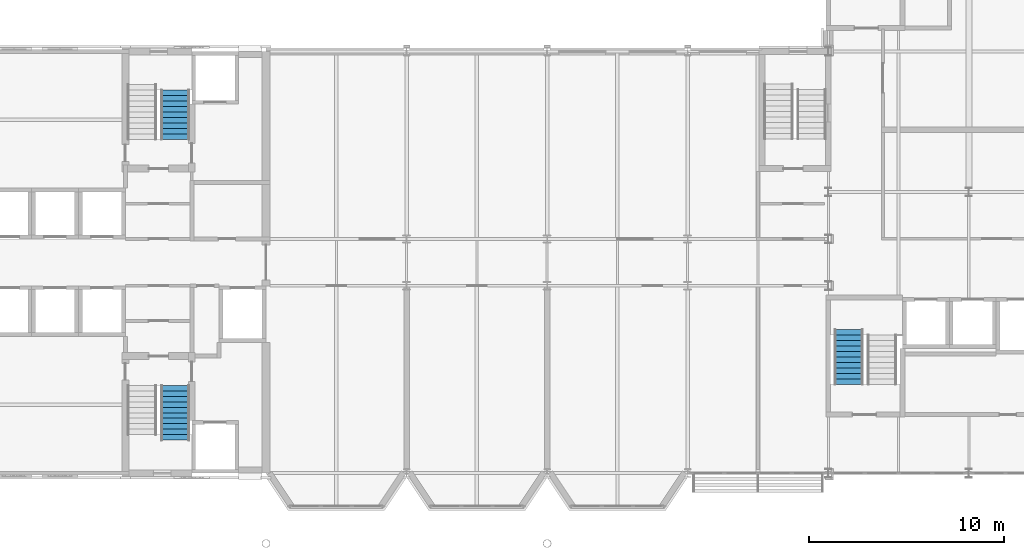
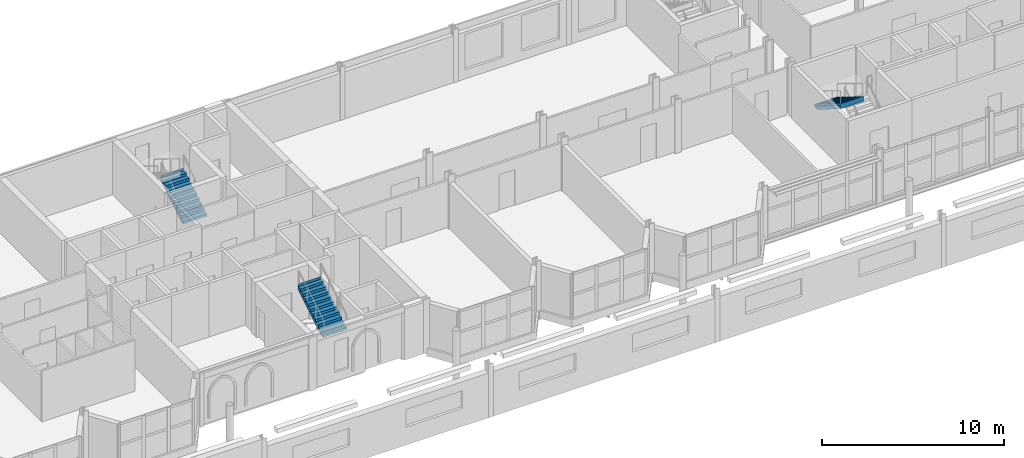
# One storey, part 93 of 124: 3 stair flights, 3 elements without a shape of their own.
"""IFC4 building model written with IfcOpenShell, lengths in metres."""

from ifc_helpers import new_model, si_unit, direction, frame, origin, place, context, subcontext, project, spatial, polyline, outline, extrude, material, type_object, element, aggregate, save


model = new_model("IFC4")

# Units and contexts
model_context = context("Model", 3, precision=1e-05, world=origin(), true_north=direction((0.0, 1.0)))
body_context = subcontext(model_context, "Body", "Model", "MODEL_VIEW")
ifc_project = project(units=[si_unit("LENGTHUNIT", "METRE"), si_unit("AREAUNIT", "SQUARE_METRE"), si_unit("VOLUMEUNIT", "CUBIC_METRE"), si_unit("PLANEANGLEUNIT", "RADIAN"), si_unit("MASSUNIT", "GRAM", prefix="KILO")], contexts=[model_context])

# Site, building, storey
site_placement = place(None, origin())
site = spatial("IfcSite", under=ifc_project, at=site_placement, CompositionType="ELEMENT")
building_placement = place(site_placement, origin())
building = spatial("IfcBuilding", under=site, at=building_placement, Name="Kupolbacken Congress Centre", CompositionType="ELEMENT")
storey_placement = place(building_placement, frame((0.0, 0.0, 10.800048828125)))
storey = spatial("IfcBuildingStorey", under=building, at=storey_placement, Name="L03", CompositionType="ELEMENT", Elevation=10.800048828125)

# Stair, stair flight
ifc_material_1 = material(Name="Steel S355", Category="steel")
stair_type = type_object("IfcStairType", Name="ST2 stair 1500", PredefinedType="TWO_STRAIGHT_RUN_STAIR", material=ifc_material_1)
stair_1_placement = place(storey_placement, origin())
stair_1 = element("IfcStair", 1, at=stair_1_placement, inside=storey, type_object=stair_type, Name="C/stair/TS2/L03", PredefinedType="NOTDEFINED")
ifc_material_2 = material(Name="Steel S355", Category="steel")
stair_flight_type_1 = type_object("IfcStairFlightType", Name="FL3 stair flight 1500 x 10 risers", PredefinedType="STRAIGHT", material=ifc_material_2)
stair_flight_1_placement = place(storey_placement, frame((103.35009765625, 139.5048828125, 0.0), z_axis=(0.0, 0.0, 1.0), x_axis=(0.0, 1.0, 0.0)))
stair_flight_1 = element("IfcStairFlight", 2, at=stair_flight_1_placement, type_object=stair_flight_type_1, Name="TS2 flight 1", NumberOfRisers=10, NumberOfTreads=9, PredefinedType="STRAIGHT", RiserHeight=0.171428571, TreadLength=0.28, context=body_context, shape_type="SweptSolid", body=[
    extrude(outline(polyline([(0.0, 0.0), (0.0, 0.0009765625), (0.0, 0.002197265625), (0.0, 0.003173828125), (0.0, 0.004150390625), (0.0, 0.00537109375), (0.0, 0.00634765625), (0.0, 0.007568359375), (0.0, 0.008544921875), (0.0, 0.009521484375), (0.0, 0.0107421875), (0.0, 0.01171875), (0.0, 0.0126953125), (0.0, 0.013916015625), (0.0, 0.014892578125), (0.0, 0.015869140625), (0.0, 0.01708984375), (0.0, 0.01806640625), (0.0, 0.019287109375), (0.0, 0.020263671875), (0.0, 0.021240234375), (0.0, 0.0224609375), (0.0, 0.0234375), (0.0, 0.0244140625), (0.0, 0.025634765625), (0.0, 0.026611328125), (0.0, 0.027587890625), (0.0, 0.02880859375), (0.0, 0.02978515625), (0.0, 0.03076171875), (0.0, 0.031982421875), (0.0, 0.032958984375), (0.0, 0.0341796875), (0.0, 0.03515625), (0.0, 0.0361328125), (0.0, 0.037353515625), (0.0, 0.038330078125), (0.0, 0.039306640625), (0.0, 0.04052734375), (0.0, 0.04150390625), (0.0, 0.04248046875), (0.0, 0.043701171875), (0.0, 0.044677734375), (0.0, 0.0458984375), (0.0, 0.046875), (0.0, 0.0478515625), (0.0, 0.049072265625), (0.0, 0.050048828125), (0.0, 0.051025390625), (0.0, 0.05224609375), (0.0, 0.05322265625), (0.0, 0.05419921875), (0.0, 0.055419921875), (0.0, 0.056396484375), (0.0, 0.0576171875), (0.0, 0.05859375), (0.0, 0.0595703125), (0.0, 0.060791015625), (0.0, 0.061767578125), (0.0, 0.062744140625), (0.0, 0.06396484375), (0.0, 0.06494140625), (0.0, 0.06591796875), (0.0, 0.067138671875), (0.0, 0.068115234375), (0.0, 0.069091796875), (0.0, 0.0703125), (0.0, 0.0712890625), (0.0, 0.072509765625), (0.0, 0.073486328125), (0.0, 0.074462890625), (0.0, 0.07568359375), (0.0, 0.07666015625), (0.0, 0.07763671875), (0.0, 0.078857421875), (0.0, 0.079833984375), (0.0, 0.080810546875), (0.0, 0.08203125), (0.0, 0.0830078125), (0.0, 0.084228515625), (0.0, 0.085205078125), (0.0, 0.086181640625), (0.0, 0.08740234375), (0.0, 0.08837890625), (0.0, 0.08935546875), (0.0, 0.090576171875), (0.0, 0.091552734375), (0.0, 0.092529296875), (0.0, 0.09375), (0.0, 0.0947265625), (0.0, 0.095947265625), (0.0, 0.096923828125), (0.0, 0.097900390625), (0.0, 0.09912109375), (0.0, 0.10009765625), (0.0, 0.10107421875), (0.0, 0.102294921875), (0.0, 0.103271484375), (0.0, 0.104248046875), (0.0, 0.10546875), (0.0, 0.1064453125), (0.0, 0.107421875), (0.0, 0.108642578125), (0.0, 0.109619140625), (0.0, 0.11083984375), (0.0, 0.11181640625), (0.0, 0.11279296875), (0.0, 0.114013671875), (0.0, 0.114990234375), (0.0, 0.115966796875), (0.0, 0.1171875), (0.0, 0.1181640625), (0.0, 0.119140625), (0.0, 0.120361328125), (0.0, 0.121337890625), (0.0, 0.12255859375), (0.0, 0.12353515625), (0.0, 0.12451171875), (0.0, 0.125732421875), (0.0, 0.126708984375), (0.0, 0.127685546875), (0.0, 0.12890625), (0.0, 0.1298828125), (0.0, 0.130859375), (0.0, 0.132080078125), (0.0, 0.133056640625), (0.0, 0.13427734375), (0.0, 0.13525390625), (0.0, 0.13623046875), (0.0, 0.137451171875), (0.0, 0.138427734375), (0.0, 0.139404296875), (0.0, 0.140625), (0.0, 0.1416015625), (0.0, 0.142578125), (0.0, 0.143798828125), (0.0, 0.144775390625), (0.0, 0.145751953125), (0.0, 0.14697265625), (0.0, 0.14794921875), (0.0, 0.149169921875), (0.0, 0.150146484375), (0.0, 0.151123046875), (0.0, 0.15234375), (0.0, 0.1533203125), (0.0, 0.154296875), (0.0, 0.155517578125), (0.0, 0.156494140625), (0.0, 0.157470703125), (0.0, 0.15869140625), (0.0, 0.15966796875), (0.0, 0.160888671875), (0.0, 0.161865234375), (0.0, 0.162841796875), (0.0, 0.1640625), (0.0, 0.1650390625), (0.0, 0.166015625), (0.0, 0.167236328125), (0.0, 0.168212890625), (0.0, 0.169189453125), (0.0, 0.17041015625), (0.0, 0.17138671875), (0.280029296875, 0.17138671875), (0.280029296875, 0.3427734375), (0.56005859375, 0.3427734375), (0.56005859375, 0.514404296875), (0.840087890625, 0.514404296875), (0.840087890625, 0.685791015625), (1.1201171875, 0.685791015625), (1.1201171875, 0.857177734375), (1.39990234375, 0.857177734375), (1.39990234375, 1.028564453125), (1.679931640625, 1.028564453125), (1.679931640625, 1.199951171875), (1.9599609375, 1.199951171875), (1.9599609375, 1.371337890625), (2.239990234375, 1.371337890625), (2.239990234375, 1.54296875), (2.52001953125, 1.54296875), (2.52001953125, 1.71435546875), (2.52197265625, 1.71435546875), (2.52197265625, 1.712158203125), (2.52197265625, 1.7099609375), (2.52197265625, 1.707763671875), (2.52197265625, 1.70556640625), (2.52197265625, 1.70361328125), (2.52197265625, 1.701416015625), (2.52197265625, 1.69921875), (2.52197265625, 1.697021484375), (2.52197265625, 1.69482421875), (2.52197265625, 1.692626953125), (2.52197265625, 1.690673828125), (2.52197265625, 1.6884765625), (2.52197265625, 1.686279296875), (2.52197265625, 1.68408203125), (2.52197265625, 1.681884765625), (2.52197265625, 1.6796875), (2.52197265625, 1.677734375), (2.52197265625, 1.675537109375), (2.52197265625, 1.67333984375), (2.52197265625, 1.671142578125), (2.52197265625, 1.6689453125), (2.52197265625, 1.666748046875), (2.52197265625, 1.664794921875), (2.52197265625, 1.66259765625), (2.52197265625, 1.660400390625), (2.52197265625, 1.658203125), (2.52197265625, 1.656005859375), (2.52197265625, 1.65380859375), (2.52197265625, 1.65185546875), (2.52197265625, 1.649658203125), (2.52197265625, 1.6474609375), (2.52197265625, 1.645263671875), (2.52197265625, 1.64306640625), (2.52197265625, 1.640869140625), (2.52197265625, 1.638916015625), (2.52197265625, 1.63671875), (2.52197265625, 1.634521484375), (2.52197265625, 1.63232421875), (2.52197265625, 1.630126953125), (2.52197265625, 1.6279296875), (2.52197265625, 1.6259765625), (2.52197265625, 1.623779296875), (2.52197265625, 1.62158203125), (2.52197265625, 1.619384765625), (2.52197265625, 1.6171875), (2.52197265625, 1.614990234375), (2.52197265625, 1.613037109375), (2.52197265625, 1.61083984375), (2.52197265625, 1.608642578125), (2.52197265625, 1.6064453125), (2.52197265625, 1.604248046875), (2.52197265625, 1.60205078125), (2.52197265625, 1.60009765625), (2.52197265625, 1.597900390625), (2.52197265625, 1.595703125), (2.52197265625, 1.593505859375), (2.52197265625, 1.59130859375), (2.52197265625, 1.589111328125), (2.52197265625, 1.587158203125), (2.52197265625, 1.5849609375), (2.52197265625, 1.582763671875), (2.52197265625, 1.58056640625), (2.52197265625, 1.578369140625), (2.52197265625, 1.576171875), (2.52197265625, 1.57421875), (2.52197265625, 1.572021484375), (2.52197265625, 1.56982421875), (2.52197265625, 1.567626953125), (2.52197265625, 1.5654296875), (2.52197265625, 1.563232421875), (2.52197265625, 1.561279296875), (2.52197265625, 1.55908203125), (2.52197265625, 1.556884765625), (2.52197265625, 1.5546875), (2.52197265625, 1.552490234375), (2.52197265625, 1.55029296875), (2.52197265625, 1.54833984375), (2.52197265625, 1.546142578125), (2.52197265625, 1.5439453125), (2.52197265625, 1.541748046875), (2.52197265625, 1.53955078125), (2.52197265625, 1.537353515625), (2.52197265625, 1.535400390625), (2.52197265625, 1.533203125), (2.52197265625, 1.531005859375), (2.52197265625, 1.52880859375), (2.52197265625, 1.526611328125), (2.52197265625, 1.5244140625), (2.52197265625, 1.5224609375), (2.52197265625, 1.520263671875), (2.52197265625, 1.51806640625), (2.52197265625, 1.515869140625), (2.52197265625, 1.513671875), (2.52197265625, 1.511474609375), (2.52197265625, 1.509521484375), (2.52197265625, 1.50732421875), (2.52197265625, 1.505126953125), (2.52197265625, 1.5029296875), (2.52197265625, 1.500732421875), (2.52197265625, 1.49853515625), (2.52197265625, 1.49658203125), (2.52197265625, 1.494384765625), (2.52197265625, 1.4921875), (2.52197265625, 1.489990234375), (2.52197265625, 1.48779296875), (2.52197265625, 1.485595703125), (2.52197265625, 1.483642578125), (2.52197265625, 1.4814453125), (2.52197265625, 1.479248046875), (2.52197265625, 1.47705078125), (2.52197265625, 1.474853515625), (2.52197265625, 1.47265625), (2.52197265625, 1.470703125), (2.52197265625, 1.468505859375), (2.52197265625, 1.46630859375), (2.52197265625, 1.464111328125), (2.52197265625, 1.4619140625), (2.52197265625, 1.459716796875), (2.52197265625, 1.457763671875), (2.52197265625, 1.45556640625), (2.52197265625, 1.453369140625), (2.52197265625, 1.451171875), (2.52197265625, 1.448974609375), (2.52197265625, 1.44677734375), (2.52197265625, 1.44482421875), (2.52197265625, 1.442626953125), (2.52197265625, 1.4404296875), (2.52197265625, 1.438232421875), (2.52197265625, 1.43603515625), (2.52197265625, 1.433837890625), (2.52197265625, 1.431884765625), (2.52197265625, 1.4296875), (2.52197265625, 1.427490234375), (2.52197265625, 1.42529296875), (2.52197265625, 1.423095703125), (2.52197265625, 1.4208984375), (2.52197265625, 1.4189453125), (2.52197265625, 1.416748046875), (2.52197265625, 1.41455078125), (2.52197265625, 1.412353515625), (2.52197265625, 1.41015625), (2.52197265625, 1.407958984375), (2.52197265625, 1.406005859375), (2.52197265625, 1.40380859375), (2.52197265625, 1.401611328125), (2.52197265625, 1.3994140625), (2.52197265625, 1.397216796875), (2.52197265625, 1.39501953125), (2.52197265625, 1.39306640625), (2.52197265625, 1.390869140625), (2.52197265625, 1.388671875), (2.52197265625, 1.386474609375), (2.52197265625, 1.38427734375), (2.52197265625, 1.382080078125), (2.52197265625, 1.380126953125), (2.52197265625, 1.3779296875), (2.52197265625, 1.375732421875), (2.52197265625, 1.37353515625), (2.52197265625, 1.371337890625), (2.52197265625, 1.369140625), (2.52197265625, 1.3671875), (0.2890625, 0.0), (0.0, 0.0)])), frame((0.0, 0.75, 0.0), z_axis=(0.0, -1.0, 0.0), x_axis=(1.0, 0.0, 0.0)), (0.0, 0.0, 1.0), 1.5),
])
aggregate(stair_1, [stair_flight_1])

stair_2_placement = place(storey_placement, origin())
stair_2 = element("IfcStair", 3, at=stair_2_placement, inside=storey, type_object=stair_type, Name="C/stair/TS1/L03", PredefinedType="NOTDEFINED")
ifc_material_3 = material(Name="Steel S355", Category="steel")
stair_flight_type_2 = type_object("IfcStairFlightType", Name="FL4 stair flight 1500 x 11 risers", PredefinedType="STRAIGHT", material=ifc_material_3)
stair_flight_2_placement = place(storey_placement, frame((103.35009765625, 124.094970703125, 1.71435546875), z_axis=(0.0, 0.0, 1.0), x_axis=(0.0, 1.0, 0.0)))
stair_flight_2 = element("IfcStairFlight", 4, at=stair_flight_2_placement, type_object=stair_flight_type_2, Name="TS1 flight 2", NumberOfRisers=11, NumberOfTreads=10, PredefinedType="STRAIGHT", RiserHeight=0.171428571, TreadLength=0.28, context=body_context, shape_type="SweptSolid", body=[
    extrude(outline(polyline([(0.0, 0.0), (0.0, 0.0009765625), (0.0, 0.002197265625), (0.0, 0.003173828125), (0.0, 0.004150390625), (0.0, 0.00537109375), (0.0, 0.00634765625), (0.0, 0.007568359375), (0.0, 0.008544921875), (0.0, 0.009521484375), (0.0, 0.0107421875), (0.0, 0.01171875), (0.0, 0.0126953125), (0.0, 0.013916015625), (0.0, 0.014892578125), (0.0, 0.015869140625), (0.0, 0.01708984375), (0.0, 0.01806640625), (0.0, 0.019287109375), (0.0, 0.020263671875), (0.0, 0.021240234375), (0.0, 0.0224609375), (0.0, 0.0234375), (0.0, 0.0244140625), (0.0, 0.025634765625), (0.0, 0.026611328125), (0.0, 0.027587890625), (0.0, 0.02880859375), (0.0, 0.02978515625), (0.0, 0.03076171875), (0.0, 0.031982421875), (0.0, 0.032958984375), (0.0, 0.0341796875), (0.0, 0.03515625), (0.0, 0.0361328125), (0.0, 0.037353515625), (0.0, 0.038330078125), (0.0, 0.039306640625), (0.0, 0.04052734375), (0.0, 0.04150390625), (0.0, 0.04248046875), (0.0, 0.043701171875), (0.0, 0.044677734375), (0.0, 0.0458984375), (0.0, 0.046875), (0.0, 0.0478515625), (0.0, 0.049072265625), (0.0, 0.050048828125), (0.0, 0.051025390625), (0.0, 0.05224609375), (0.0, 0.05322265625), (0.0, 0.05419921875), (0.0, 0.055419921875), (0.0, 0.056396484375), (0.0, 0.0576171875), (0.0, 0.05859375), (0.0, 0.0595703125), (0.0, 0.060791015625), (0.0, 0.061767578125), (0.0, 0.062744140625), (0.0, 0.06396484375), (0.0, 0.06494140625), (0.0, 0.06591796875), (0.0, 0.067138671875), (0.0, 0.068115234375), (0.0, 0.069091796875), (0.0, 0.0703125), (0.0, 0.0712890625), (0.0, 0.072509765625), (0.0, 0.073486328125), (0.0, 0.074462890625), (0.0, 0.07568359375), (0.0, 0.07666015625), (0.0, 0.07763671875), (0.0, 0.078857421875), (0.0, 0.079833984375), (0.0, 0.080810546875), (0.0, 0.08203125), (0.0, 0.0830078125), (0.0, 0.084228515625), (0.0, 0.085205078125), (0.0, 0.086181640625), (0.0, 0.08740234375), (0.0, 0.08837890625), (0.0, 0.08935546875), (0.0, 0.090576171875), (0.0, 0.091552734375), (0.0, 0.092529296875), (0.0, 0.09375), (0.0, 0.0947265625), (0.0, 0.095947265625), (0.0, 0.096923828125), (0.0, 0.097900390625), (0.0, 0.09912109375), (0.0, 0.10009765625), (0.0, 0.10107421875), (0.0, 0.102294921875), (0.0, 0.103271484375), (0.0, 0.104248046875), (0.0, 0.10546875), (0.0, 0.1064453125), (0.0, 0.107421875), (0.0, 0.108642578125), (0.0, 0.109619140625), (0.0, 0.11083984375), (0.0, 0.11181640625), (0.0, 0.11279296875), (0.0, 0.114013671875), (0.0, 0.114990234375), (0.0, 0.115966796875), (0.0, 0.1171875), (0.0, 0.1181640625), (0.0, 0.119140625), (0.0, 0.120361328125), (0.0, 0.121337890625), (0.0, 0.12255859375), (0.0, 0.12353515625), (0.0, 0.12451171875), (0.0, 0.125732421875), (0.0, 0.126708984375), (0.0, 0.127685546875), (0.0, 0.12890625), (0.0, 0.1298828125), (0.0, 0.130859375), (0.0, 0.132080078125), (0.0, 0.133056640625), (0.0, 0.13427734375), (0.0, 0.13525390625), (0.0, 0.13623046875), (0.0, 0.137451171875), (0.0, 0.138427734375), (0.0, 0.139404296875), (0.0, 0.140625), (0.0, 0.1416015625), (0.0, 0.142578125), (0.0, 0.143798828125), (0.0, 0.144775390625), (0.0, 0.145751953125), (0.0, 0.14697265625), (0.0, 0.14794921875), (0.0, 0.149169921875), (0.0, 0.150146484375), (0.0, 0.151123046875), (0.0, 0.15234375), (0.0, 0.1533203125), (0.0, 0.154296875), (0.0, 0.155517578125), (0.0, 0.156494140625), (0.0, 0.157470703125), (0.0, 0.15869140625), (0.0, 0.15966796875), (0.0, 0.160888671875), (0.0, 0.161865234375), (0.0, 0.162841796875), (0.0, 0.1640625), (0.0, 0.1650390625), (0.0, 0.166015625), (0.0, 0.167236328125), (0.0, 0.168212890625), (0.0, 0.169189453125), (0.0, 0.17041015625), (0.0, 0.17138671875), (0.280029296875, 0.17138671875), (0.280029296875, 0.3427734375), (0.56005859375, 0.3427734375), (0.56005859375, 0.514404296875), (0.840087890625, 0.514404296875), (0.840087890625, 0.685791015625), (1.1201171875, 0.685791015625), (1.1201171875, 0.857177734375), (1.39990234375, 0.857177734375), (1.39990234375, 1.028564453125), (1.679931640625, 1.028564453125), (1.679931640625, 1.199951171875), (1.9599609375, 1.199951171875), (1.9599609375, 1.371337890625), (2.239990234375, 1.371337890625), (2.239990234375, 1.54296875), (2.52001953125, 1.54296875), (2.52001953125, 1.71435546875), (2.800048828125, 1.71435546875), (2.800048828125, 1.8857421875), (2.802001953125, 1.8857421875), (2.802001953125, 1.883544921875), (2.802001953125, 1.88134765625), (2.802001953125, 1.879150390625), (2.802001953125, 1.877197265625), (2.802001953125, 1.875), (2.802001953125, 1.872802734375), (2.802001953125, 1.87060546875), (2.802001953125, 1.868408203125), (2.802001953125, 1.8662109375), (2.802001953125, 1.8642578125), (2.802001953125, 1.862060546875), (2.802001953125, 1.85986328125), (2.802001953125, 1.857666015625), (2.802001953125, 1.85546875), (2.802001953125, 1.853271484375), (2.802001953125, 1.851318359375), (2.802001953125, 1.84912109375), (2.802001953125, 1.846923828125), (2.802001953125, 1.8447265625), (2.802001953125, 1.842529296875), (2.802001953125, 1.84033203125), (2.802001953125, 1.83837890625), (2.802001953125, 1.836181640625), (2.802001953125, 1.833984375), (2.802001953125, 1.831787109375), (2.802001953125, 1.82958984375), (2.802001953125, 1.827392578125), (2.802001953125, 1.825439453125), (2.802001953125, 1.8232421875), (2.802001953125, 1.821044921875), (2.802001953125, 1.81884765625), (2.802001953125, 1.816650390625), (2.802001953125, 1.814453125), (2.802001953125, 1.8125), (2.802001953125, 1.810302734375), (2.802001953125, 1.80810546875), (2.802001953125, 1.805908203125), (2.802001953125, 1.8037109375), (2.802001953125, 1.801513671875), (2.802001953125, 1.799560546875), (2.802001953125, 1.79736328125), (2.802001953125, 1.795166015625), (2.802001953125, 1.79296875), (2.802001953125, 1.790771484375), (2.802001953125, 1.78857421875), (2.802001953125, 1.78662109375), (2.802001953125, 1.784423828125), (2.802001953125, 1.7822265625), (2.802001953125, 1.780029296875), (2.802001953125, 1.77783203125), (2.802001953125, 1.775634765625), (2.802001953125, 1.773681640625), (2.802001953125, 1.771484375), (2.802001953125, 1.769287109375), (2.802001953125, 1.76708984375), (2.802001953125, 1.764892578125), (2.802001953125, 1.7626953125), (2.802001953125, 1.7607421875), (2.802001953125, 1.758544921875), (2.802001953125, 1.75634765625), (2.802001953125, 1.754150390625), (2.802001953125, 1.751953125), (2.802001953125, 1.749755859375), (2.802001953125, 1.747802734375), (2.802001953125, 1.74560546875), (2.802001953125, 1.743408203125), (2.802001953125, 1.7412109375), (2.802001953125, 1.739013671875), (2.802001953125, 1.73681640625), (2.802001953125, 1.73486328125), (2.802001953125, 1.732666015625), (2.802001953125, 1.73046875), (2.802001953125, 1.728271484375), (2.802001953125, 1.72607421875), (2.802001953125, 1.723876953125), (2.802001953125, 1.721923828125), (2.802001953125, 1.7197265625), (2.802001953125, 1.717529296875), (2.802001953125, 1.71533203125), (2.802001953125, 1.713134765625), (2.802001953125, 1.7109375), (2.802001953125, 1.708984375), (2.802001953125, 1.706787109375), (2.802001953125, 1.70458984375), (2.802001953125, 1.702392578125), (2.802001953125, 1.7001953125), (2.802001953125, 1.697998046875), (2.802001953125, 1.696044921875), (2.802001953125, 1.69384765625), (2.802001953125, 1.691650390625), (2.802001953125, 1.689453125), (2.802001953125, 1.687255859375), (2.802001953125, 1.68505859375), (2.802001953125, 1.68310546875), (2.802001953125, 1.680908203125), (2.802001953125, 1.6787109375), (2.802001953125, 1.676513671875), (2.802001953125, 1.67431640625), (2.802001953125, 1.672119140625), (2.802001953125, 1.670166015625), (2.802001953125, 1.66796875), (2.802001953125, 1.665771484375), (2.802001953125, 1.66357421875), (2.802001953125, 1.661376953125), (2.802001953125, 1.6591796875), (2.802001953125, 1.6572265625), (2.802001953125, 1.655029296875), (2.802001953125, 1.65283203125), (2.802001953125, 1.650634765625), (2.802001953125, 1.6484375), (2.802001953125, 1.646240234375), (2.802001953125, 1.644287109375), (2.802001953125, 1.64208984375), (2.802001953125, 1.639892578125), (2.802001953125, 1.6376953125), (2.802001953125, 1.635498046875), (2.802001953125, 1.63330078125), (2.802001953125, 1.63134765625), (2.802001953125, 1.629150390625), (2.802001953125, 1.626953125), (2.802001953125, 1.624755859375), (2.802001953125, 1.62255859375), (2.802001953125, 1.620361328125), (2.802001953125, 1.618408203125), (2.802001953125, 1.6162109375), (2.802001953125, 1.614013671875), (2.802001953125, 1.61181640625), (2.802001953125, 1.609619140625), (2.802001953125, 1.607421875), (2.802001953125, 1.60546875), (2.802001953125, 1.603271484375), (2.802001953125, 1.60107421875), (2.802001953125, 1.598876953125), (2.802001953125, 1.5966796875), (2.802001953125, 1.594482421875), (2.802001953125, 1.592529296875), (2.802001953125, 1.59033203125), (2.802001953125, 1.588134765625), (2.802001953125, 1.5859375), (2.802001953125, 1.583740234375), (2.802001953125, 1.58154296875), (2.802001953125, 1.57958984375), (2.802001953125, 1.577392578125), (2.802001953125, 1.5751953125), (2.802001953125, 1.572998046875), (2.802001953125, 1.57080078125), (2.802001953125, 1.568603515625), (2.802001953125, 1.566650390625), (2.802001953125, 1.564453125), (2.802001953125, 1.562255859375), (2.802001953125, 1.56005859375), (2.802001953125, 1.557861328125), (2.802001953125, 1.5556640625), (2.802001953125, 1.5537109375), (2.802001953125, 1.551513671875), (2.802001953125, 1.54931640625), (2.802001953125, 1.547119140625), (2.802001953125, 1.544921875), (2.802001953125, 1.542724609375), (2.802001953125, 1.540771484375), (2.802001953125, 1.53857421875), (0.2890625, 0.0), (0.0, 0.0)])), frame((0.0, 0.75, 0.0), z_axis=(0.0, -1.0, 0.0), x_axis=(1.0, 0.0, 0.0)), (0.0, 0.0, 1.0), 1.5),
])
aggregate(stair_2, [stair_flight_2])

stair_3_placement = place(storey_placement, origin())
stair_3 = element("IfcStair", 5, at=stair_3_placement, inside=storey, type_object=stair_type, Name="C/stair/BS1/L03", PredefinedType="NOTDEFINED")
stair_flight_3_placement = place(storey_placement, frame((137.85009765625, 129.7548828125, 1.71435546875), z_axis=(0.0, 0.0, 1.0), x_axis=(0.0, -1.0, 0.0)))
stair_flight_3 = element("IfcStairFlight", 6, at=stair_flight_3_placement, type_object=stair_flight_type_2, Name="BS1 flight 2", NumberOfRisers=11, NumberOfTreads=10, PredefinedType="STRAIGHT", RiserHeight=0.171428571, TreadLength=0.28, context=body_context, shape_type="SweptSolid", body=[
    extrude(outline(polyline([(0.0, 0.0), (0.0, 0.0009765625), (0.0, 0.002197265625), (0.0, 0.003173828125), (0.0, 0.004150390625), (0.0, 0.00537109375), (0.0, 0.00634765625), (0.0, 0.007568359375), (0.0, 0.008544921875), (0.0, 0.009521484375), (0.0, 0.0107421875), (0.0, 0.01171875), (0.0, 0.0126953125), (0.0, 0.013916015625), (0.0, 0.014892578125), (0.0, 0.015869140625), (0.0, 0.01708984375), (0.0, 0.01806640625), (0.0, 0.019287109375), (0.0, 0.020263671875), (0.0, 0.021240234375), (0.0, 0.0224609375), (0.0, 0.0234375), (0.0, 0.0244140625), (0.0, 0.025634765625), (0.0, 0.026611328125), (0.0, 0.027587890625), (0.0, 0.02880859375), (0.0, 0.02978515625), (0.0, 0.03076171875), (0.0, 0.031982421875), (0.0, 0.032958984375), (0.0, 0.0341796875), (0.0, 0.03515625), (0.0, 0.0361328125), (0.0, 0.037353515625), (0.0, 0.038330078125), (0.0, 0.039306640625), (0.0, 0.04052734375), (0.0, 0.04150390625), (0.0, 0.04248046875), (0.0, 0.043701171875), (0.0, 0.044677734375), (0.0, 0.0458984375), (0.0, 0.046875), (0.0, 0.0478515625), (0.0, 0.049072265625), (0.0, 0.050048828125), (0.0, 0.051025390625), (0.0, 0.05224609375), (0.0, 0.05322265625), (0.0, 0.05419921875), (0.0, 0.055419921875), (0.0, 0.056396484375), (0.0, 0.0576171875), (0.0, 0.05859375), (0.0, 0.0595703125), (0.0, 0.060791015625), (0.0, 0.061767578125), (0.0, 0.062744140625), (0.0, 0.06396484375), (0.0, 0.06494140625), (0.0, 0.06591796875), (0.0, 0.067138671875), (0.0, 0.068115234375), (0.0, 0.069091796875), (0.0, 0.0703125), (0.0, 0.0712890625), (0.0, 0.072509765625), (0.0, 0.073486328125), (0.0, 0.074462890625), (0.0, 0.07568359375), (0.0, 0.07666015625), (0.0, 0.07763671875), (0.0, 0.078857421875), (0.0, 0.079833984375), (0.0, 0.080810546875), (0.0, 0.08203125), (0.0, 0.0830078125), (0.0, 0.084228515625), (0.0, 0.085205078125), (0.0, 0.086181640625), (0.0, 0.08740234375), (0.0, 0.08837890625), (0.0, 0.08935546875), (0.0, 0.090576171875), (0.0, 0.091552734375), (0.0, 0.092529296875), (0.0, 0.09375), (0.0, 0.0947265625), (0.0, 0.095947265625), (0.0, 0.096923828125), (0.0, 0.097900390625), (0.0, 0.09912109375), (0.0, 0.10009765625), (0.0, 0.10107421875), (0.0, 0.102294921875), (0.0, 0.103271484375), (0.0, 0.104248046875), (0.0, 0.10546875), (0.0, 0.1064453125), (0.0, 0.107421875), (0.0, 0.108642578125), (0.0, 0.109619140625), (0.0, 0.11083984375), (0.0, 0.11181640625), (0.0, 0.11279296875), (0.0, 0.114013671875), (0.0, 0.114990234375), (0.0, 0.115966796875), (0.0, 0.1171875), (0.0, 0.1181640625), (0.0, 0.119140625), (0.0, 0.120361328125), (0.0, 0.121337890625), (0.0, 0.12255859375), (0.0, 0.12353515625), (0.0, 0.12451171875), (0.0, 0.125732421875), (0.0, 0.126708984375), (0.0, 0.127685546875), (0.0, 0.12890625), (0.0, 0.1298828125), (0.0, 0.130859375), (0.0, 0.132080078125), (0.0, 0.133056640625), (0.0, 0.13427734375), (0.0, 0.13525390625), (0.0, 0.13623046875), (0.0, 0.137451171875), (0.0, 0.138427734375), (0.0, 0.139404296875), (0.0, 0.140625), (0.0, 0.1416015625), (0.0, 0.142578125), (0.0, 0.143798828125), (0.0, 0.144775390625), (0.0, 0.145751953125), (0.0, 0.14697265625), (0.0, 0.14794921875), (0.0, 0.149169921875), (0.0, 0.150146484375), (0.0, 0.151123046875), (0.0, 0.15234375), (0.0, 0.1533203125), (0.0, 0.154296875), (0.0, 0.155517578125), (0.0, 0.156494140625), (0.0, 0.157470703125), (0.0, 0.15869140625), (0.0, 0.15966796875), (0.0, 0.160888671875), (0.0, 0.161865234375), (0.0, 0.162841796875), (0.0, 0.1640625), (0.0, 0.1650390625), (0.0, 0.166015625), (0.0, 0.167236328125), (0.0, 0.168212890625), (0.0, 0.169189453125), (0.0, 0.17041015625), (0.0, 0.17138671875), (0.280029296875, 0.17138671875), (0.280029296875, 0.3427734375), (0.56005859375, 0.3427734375), (0.56005859375, 0.514404296875), (0.840087890625, 0.514404296875), (0.840087890625, 0.685791015625), (1.1201171875, 0.685791015625), (1.1201171875, 0.857177734375), (1.39990234375, 0.857177734375), (1.39990234375, 1.028564453125), (1.679931640625, 1.028564453125), (1.679931640625, 1.199951171875), (1.9599609375, 1.199951171875), (1.9599609375, 1.371337890625), (2.239990234375, 1.371337890625), (2.239990234375, 1.54296875), (2.52001953125, 1.54296875), (2.52001953125, 1.71435546875), (2.800048828125, 1.71435546875), (2.800048828125, 1.8857421875), (2.802001953125, 1.8857421875), (2.802001953125, 1.883544921875), (2.802001953125, 1.88134765625), (2.802001953125, 1.879150390625), (2.802001953125, 1.877197265625), (2.802001953125, 1.875), (2.802001953125, 1.872802734375), (2.802001953125, 1.87060546875), (2.802001953125, 1.868408203125), (2.802001953125, 1.8662109375), (2.802001953125, 1.8642578125), (2.802001953125, 1.862060546875), (2.802001953125, 1.85986328125), (2.802001953125, 1.857666015625), (2.802001953125, 1.85546875), (2.802001953125, 1.853271484375), (2.802001953125, 1.851318359375), (2.802001953125, 1.84912109375), (2.802001953125, 1.846923828125), (2.802001953125, 1.8447265625), (2.802001953125, 1.842529296875), (2.802001953125, 1.84033203125), (2.802001953125, 1.83837890625), (2.802001953125, 1.836181640625), (2.802001953125, 1.833984375), (2.802001953125, 1.831787109375), (2.802001953125, 1.82958984375), (2.802001953125, 1.827392578125), (2.802001953125, 1.825439453125), (2.802001953125, 1.8232421875), (2.802001953125, 1.821044921875), (2.802001953125, 1.81884765625), (2.802001953125, 1.816650390625), (2.802001953125, 1.814453125), (2.802001953125, 1.8125), (2.802001953125, 1.810302734375), (2.802001953125, 1.80810546875), (2.802001953125, 1.805908203125), (2.802001953125, 1.8037109375), (2.802001953125, 1.801513671875), (2.802001953125, 1.799560546875), (2.802001953125, 1.79736328125), (2.802001953125, 1.795166015625), (2.802001953125, 1.79296875), (2.802001953125, 1.790771484375), (2.802001953125, 1.78857421875), (2.802001953125, 1.78662109375), (2.802001953125, 1.784423828125), (2.802001953125, 1.7822265625), (2.802001953125, 1.780029296875), (2.802001953125, 1.77783203125), (2.802001953125, 1.775634765625), (2.802001953125, 1.773681640625), (2.802001953125, 1.771484375), (2.802001953125, 1.769287109375), (2.802001953125, 1.76708984375), (2.802001953125, 1.764892578125), (2.802001953125, 1.7626953125), (2.802001953125, 1.7607421875), (2.802001953125, 1.758544921875), (2.802001953125, 1.75634765625), (2.802001953125, 1.754150390625), (2.802001953125, 1.751953125), (2.802001953125, 1.749755859375), (2.802001953125, 1.747802734375), (2.802001953125, 1.74560546875), (2.802001953125, 1.743408203125), (2.802001953125, 1.7412109375), (2.802001953125, 1.739013671875), (2.802001953125, 1.73681640625), (2.802001953125, 1.73486328125), (2.802001953125, 1.732666015625), (2.802001953125, 1.73046875), (2.802001953125, 1.728271484375), (2.802001953125, 1.72607421875), (2.802001953125, 1.723876953125), (2.802001953125, 1.721923828125), (2.802001953125, 1.7197265625), (2.802001953125, 1.717529296875), (2.802001953125, 1.71533203125), (2.802001953125, 1.713134765625), (2.802001953125, 1.7109375), (2.802001953125, 1.708984375), (2.802001953125, 1.706787109375), (2.802001953125, 1.70458984375), (2.802001953125, 1.702392578125), (2.802001953125, 1.7001953125), (2.802001953125, 1.697998046875), (2.802001953125, 1.696044921875), (2.802001953125, 1.69384765625), (2.802001953125, 1.691650390625), (2.802001953125, 1.689453125), (2.802001953125, 1.687255859375), (2.802001953125, 1.68505859375), (2.802001953125, 1.68310546875), (2.802001953125, 1.680908203125), (2.802001953125, 1.6787109375), (2.802001953125, 1.676513671875), (2.802001953125, 1.67431640625), (2.802001953125, 1.672119140625), (2.802001953125, 1.670166015625), (2.802001953125, 1.66796875), (2.802001953125, 1.665771484375), (2.802001953125, 1.66357421875), (2.802001953125, 1.661376953125), (2.802001953125, 1.6591796875), (2.802001953125, 1.6572265625), (2.802001953125, 1.655029296875), (2.802001953125, 1.65283203125), (2.802001953125, 1.650634765625), (2.802001953125, 1.6484375), (2.802001953125, 1.646240234375), (2.802001953125, 1.644287109375), (2.802001953125, 1.64208984375), (2.802001953125, 1.639892578125), (2.802001953125, 1.6376953125), (2.802001953125, 1.635498046875), (2.802001953125, 1.63330078125), (2.802001953125, 1.63134765625), (2.802001953125, 1.629150390625), (2.802001953125, 1.626953125), (2.802001953125, 1.624755859375), (2.802001953125, 1.62255859375), (2.802001953125, 1.620361328125), (2.802001953125, 1.618408203125), (2.802001953125, 1.6162109375), (2.802001953125, 1.614013671875), (2.802001953125, 1.61181640625), (2.802001953125, 1.609619140625), (2.802001953125, 1.607421875), (2.802001953125, 1.60546875), (2.802001953125, 1.603271484375), (2.802001953125, 1.60107421875), (2.802001953125, 1.598876953125), (2.802001953125, 1.5966796875), (2.802001953125, 1.594482421875), (2.802001953125, 1.592529296875), (2.802001953125, 1.59033203125), (2.802001953125, 1.588134765625), (2.802001953125, 1.5859375), (2.802001953125, 1.583740234375), (2.802001953125, 1.58154296875), (2.802001953125, 1.57958984375), (2.802001953125, 1.577392578125), (2.802001953125, 1.5751953125), (2.802001953125, 1.572998046875), (2.802001953125, 1.57080078125), (2.802001953125, 1.568603515625), (2.802001953125, 1.566650390625), (2.802001953125, 1.564453125), (2.802001953125, 1.562255859375), (2.802001953125, 1.56005859375), (2.802001953125, 1.557861328125), (2.802001953125, 1.5556640625), (2.802001953125, 1.5537109375), (2.802001953125, 1.551513671875), (2.802001953125, 1.54931640625), (2.802001953125, 1.547119140625), (2.802001953125, 1.544921875), (2.802001953125, 1.542724609375), (2.802001953125, 1.540771484375), (2.802001953125, 1.53857421875), (0.2890625, 0.0), (0.0, 0.0)])), frame((0.0, 0.75, 0.0), z_axis=(0.0, -1.0, 0.0), x_axis=(1.0, 0.0, 0.0)), (0.0, 0.0, 1.0), 1.5),
])
aggregate(stair_3, [stair_flight_3])

save(model, "model.ifc")
